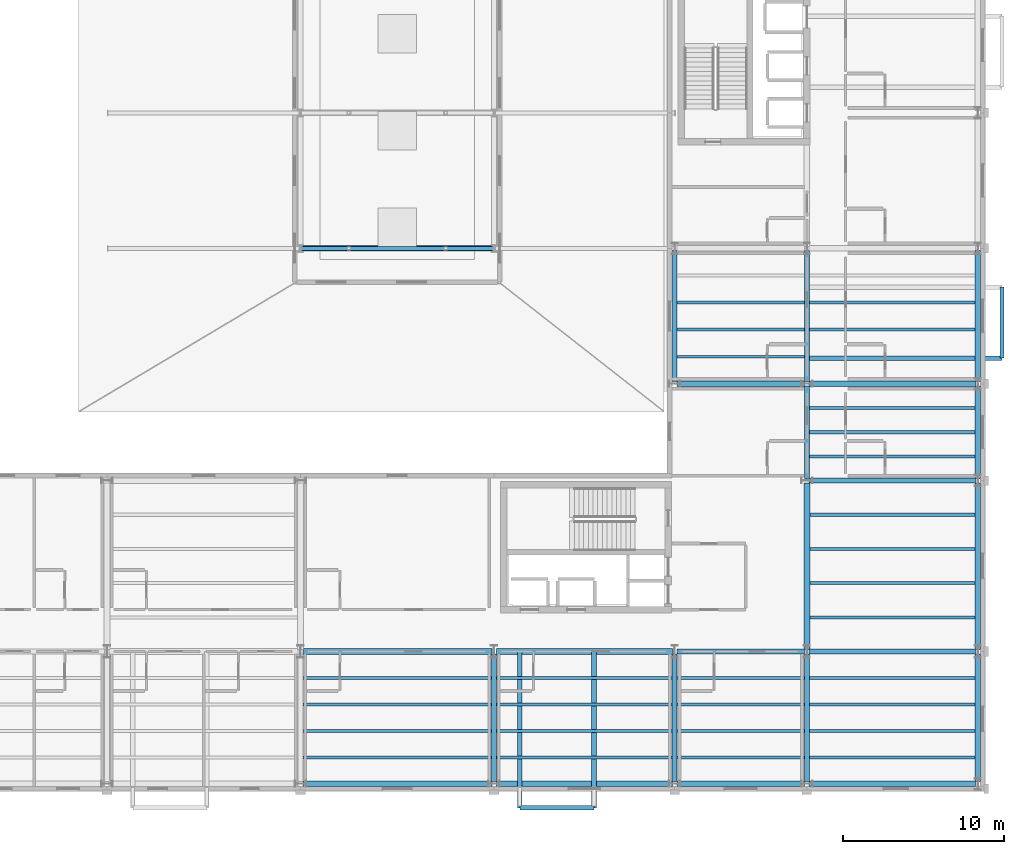
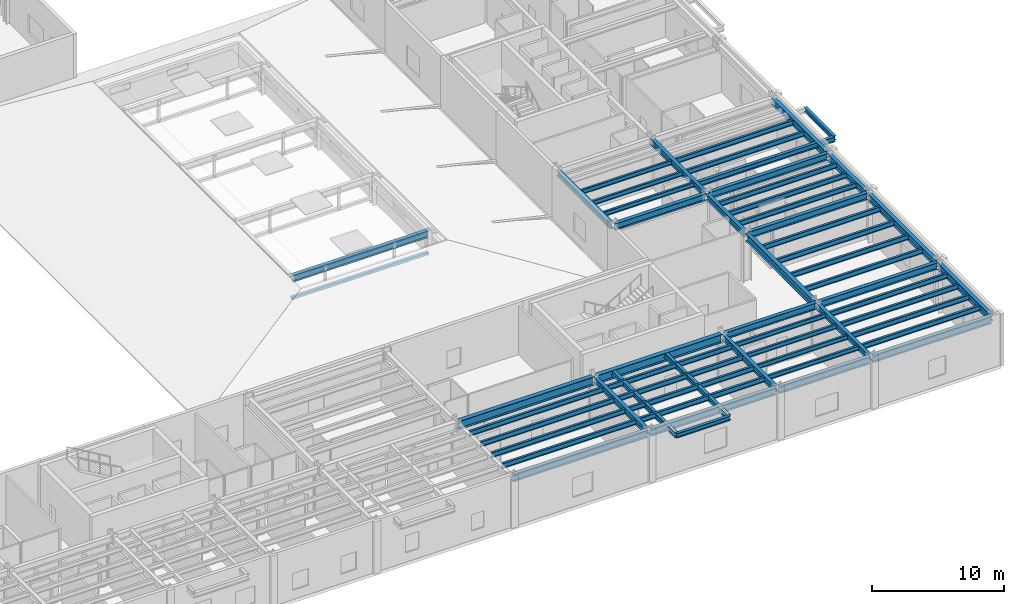
# One storey, part 48 of 91: 56 beams, 1 member.
"""IFC4 building model written with IfcOpenShell, lengths in metres."""

from ifc_helpers import new_model, si_unit, direction, frame, origin, origin_2d, place, context, subcontext, project, spatial, hollow_rectangle, i_section, extrude, material, material_profile, profile_set, type_object, element, save


model = new_model("IFC4")

# Units and contexts
model_context = context("Model", 3, precision=1e-05, world=origin(), true_north=direction((0.0, 1.0)))
body_context = subcontext(model_context, "Body", "Model", "MODEL_VIEW")
ifc_project = project(units=[si_unit("LENGTHUNIT", "METRE"), si_unit("AREAUNIT", "SQUARE_METRE"), si_unit("VOLUMEUNIT", "CUBIC_METRE"), si_unit("PLANEANGLEUNIT", "RADIAN"), si_unit("MASSUNIT", "GRAM", prefix="KILO")], contexts=[model_context])

# Site, building, storey
site_placement = place(None, origin())
site = spatial("IfcSite", under=ifc_project, at=site_placement, CompositionType="ELEMENT")
building_placement = place(site_placement, origin())
building = spatial("IfcBuilding", under=site, at=building_placement, Name="Sollismere Congress Hotel", CompositionType="ELEMENT")
storey_placement = place(building_placement, frame((0.0, 0.0, 10.800048828125)))
storey = spatial("IfcBuildingStorey", under=building, at=storey_placement, Name="L02", CompositionType="ELEMENT", Elevation=10.800048828125)

# Beams
ifc_material_1 = material(Name="Steel ASTM A992 Grade 50", Category="steel")
ifc_material_profile_1 = material_profile(ifc_material_1, i_section(OverallWidth=0.281982421875, OverallDepth=0.471923828125, WebThickness=0.013671875, FlangeThickness=0.022216796875, at=origin_2d()), Name="W18X97")
ifc_profile_set_1 = profile_set([ifc_material_profile_1], Name="Steel ASTM A992 Grade 50")
beam_type_1 = type_object("IfcBeamType", Name="BM-CK18E", PredefinedType="BEAM", material=ifc_profile_set_1)
for number, where, z_axis, x_axis, name in (
    (1, (137.60009765625, 8.199951171875, 4.263916015625), (0.0, -1.0, 0.0), (1.0, 0.0, 0.0), "Beam BM-L02-3889"),
    (2, (142.199951171875, 8.199951171875, 4.263916015625), (0.0, -1.0, 0.0), (1.0, 0.0, 0.0), "Beam BM-L02-3890"),
):
    element("IfcBeam", number, at=place(storey_placement, frame(where, z_axis=z_axis, x_axis=x_axis)), inside=storey, type_object=beam_type_1, Name=name, PredefinedType="BEAM", context=body_context, shape_type="SweptSolid", body=[
        extrude(i_section(OverallWidth=0.281982421875, OverallDepth=0.471923828125, WebThickness=0.013671875, FlangeThickness=0.022216796875, at=origin_2d()), origin(), (0.0, 0.0, 1.0), 9.68994140625),
    ])
beam_1_placement = place(storey_placement, frame((155.39990234375, 26.39990234375, 4.263916015625), z_axis=(1.0, 0.0, 0.0), x_axis=(0.0, 1.0, 0.0)))
element("IfcBeam", 3, at=beam_1_placement, inside=storey, type_object=beam_type_1, Name="Beam BM-L02-3892", PredefinedType="BEAM", context=body_context, shape_type="SweptSolid", body=[
    extrude(i_section(OverallWidth=0.281982421875, OverallDepth=0.471923828125, WebThickness=0.013671875, FlangeThickness=0.022216796875, at=origin_2d()), origin(), (0.0, 0.0, 1.0), 12.090087890625),
])
ifc_material_profile_2 = material_profile(ifc_material_1, i_section(OverallWidth=0.31494140625, OverallDepth=0.551025390625, WebThickness=0.01513671875, FlangeThickness=0.0244140625, at=origin_2d()), Name="W21X122")
ifc_profile_set_2 = profile_set([ifc_material_profile_2], Name="Steel ASTM A992 Grade 50")
beam_type_2 = type_object("IfcBeamType", Name="BM-G21H", PredefinedType="BEAM", material=ifc_profile_set_2)
for number, where, z_axis, x_axis, name in (
    (4, (136.0, 0.139892578125, 4.224365234375), (0.0, 1.0, 0.0), (-1.0, 0.0, 0.0), "Beam BM-L02-2121"),
    (5, (147.199951171875, 0.139892578125, 4.224365234375), (0.0, 1.0, 0.0), (-1.0, 0.0, 0.0), "Beam BM-L02-2122"),
):
    element("IfcBeam", number, at=place(storey_placement, frame(where, z_axis=z_axis, x_axis=x_axis)), inside=storey, type_object=beam_type_2, Name=name, PredefinedType="BEAM", context=body_context, shape_type="SweptSolid", body=[
        extrude(i_section(OverallWidth=0.31494140625, OverallDepth=0.551025390625, WebThickness=0.01513671875, FlangeThickness=0.0244140625, at=origin_2d()), origin(), (0.0, 0.0, 1.0), 7.920166015625),
    ])
beam_2_placement = place(storey_placement, frame((147.199951171875, 24.93994140625, 4.224365234375), z_axis=(0.0, 1.0, 0.0), x_axis=(-1.0, 0.0, 0.0)))
element("IfcBeam", 6, at=beam_2_placement, inside=storey, type_object=beam_type_2, Name="Beam BM-L02-2123", PredefinedType="BEAM", context=body_context, shape_type="SweptSolid", body=[
    extrude(i_section(OverallWidth=0.31494140625, OverallDepth=0.551025390625, WebThickness=0.01513671875, FlangeThickness=0.0244140625, at=origin_2d()), origin(), (0.0, 0.0, 1.0), 8.1201171875),
])
beam_3_placement = place(storey_placement, frame((155.39990234375, 0.139892578125, 4.224365234375), z_axis=(0.0, 1.0, 0.0), x_axis=(-1.0, 0.0, 0.0)))
element("IfcBeam", 7, at=beam_3_placement, inside=storey, type_object=beam_type_2, Name="Beam BM-L02-2125", PredefinedType="BEAM", context=body_context, shape_type="SweptSolid", body=[
    extrude(i_section(OverallWidth=0.31494140625, OverallDepth=0.551025390625, WebThickness=0.01513671875, FlangeThickness=0.0244140625, at=origin_2d()), origin(), (0.0, 0.0, 1.0), 7.920166015625),
])
beam_4_placement = place(storey_placement, frame((155.39990234375, 18.93994140625, 4.224365234375), z_axis=(0.0, 1.0, 0.0), x_axis=(-1.0, 0.0, 0.0)))
element("IfcBeam", 8, at=beam_4_placement, inside=storey, type_object=beam_type_2, Name="Beam BM-L02-2127", PredefinedType="BEAM", context=body_context, shape_type="SweptSolid", body=[
    extrude(i_section(OverallWidth=0.31494140625, OverallDepth=0.551025390625, WebThickness=0.01513671875, FlangeThickness=0.0244140625, at=origin_2d()), origin(), (0.0, 0.0, 1.0), 5.719970703125),
])
beam_5_placement = place(storey_placement, frame((155.39990234375, 24.93994140625, 4.224365234375), z_axis=(0.0, 1.0, 0.0), x_axis=(-1.0, 0.0, 0.0)))
element("IfcBeam", 9, at=beam_5_placement, inside=storey, type_object=beam_type_2, Name="Beam BM-L02-2128", PredefinedType="BEAM", context=body_context, shape_type="SweptSolid", body=[
    extrude(i_section(OverallWidth=0.31494140625, OverallDepth=0.551025390625, WebThickness=0.01513671875, FlangeThickness=0.0244140625, at=origin_2d()), origin(), (0.0, 0.0, 1.0), 8.1201171875),
])
ifc_material_profile_3 = material_profile(ifc_material_1, i_section(OverallWidth=0.324951171875, OverallDepth=0.612060546875, WebThickness=0.0126953125, FlangeThickness=0.01904296875, at=origin_2d()), Name="W24X104")
ifc_profile_set_3 = profile_set([ifc_material_profile_3], Name="Steel ASTM A992 Grade 50")
beam_type_3 = type_object("IfcBeamType", Name="BM-G24", PredefinedType="BEAM", material=ifc_profile_set_3)
beam_6_placement = place(storey_placement, frame((147.340087890625, 8.199951171875, 4.19384765625), z_axis=(1.0, 0.0, 0.0), x_axis=(0.0, 1.0, 0.0)))
element("IfcBeam", 10, at=beam_6_placement, inside=storey, type_object=beam_type_3, Name="Beam BM-L02-1997", PredefinedType="BEAM", context=body_context, shape_type="SweptSolid", body=[
    extrude(i_section(OverallWidth=0.324951171875, OverallDepth=0.612060546875, WebThickness=0.0126953125, FlangeThickness=0.01904296875, at=origin_2d()), origin(), (0.0, 0.0, 1.0), 7.919921875),
])
for number, where, z_axis, x_axis, name in (
    (11, (155.5400390625, 8.199951171875, 4.19384765625), (1.0, 0.0, 0.0), (0.0, 1.0, 0.0), "Beam BM-L02-1998"),
    (12, (155.5400390625, 18.800048828125, 4.19384765625), (1.0, 0.0, 0.0), (0.0, 1.0, 0.0), "Beam BM-L02-2003"),
):
    element("IfcBeam", number, at=place(storey_placement, frame(where, z_axis=z_axis, x_axis=x_axis)), inside=storey, type_object=beam_type_3, Name=name, PredefinedType="BEAM", context=body_context, shape_type="SweptSolid", body=[
        extrude(i_section(OverallWidth=0.324951171875, OverallDepth=0.612060546875, WebThickness=0.0126953125, FlangeThickness=0.01904296875, at=origin_2d()), origin(), (0.0, 0.0, 1.0), 10.320068359375),
    ])
beam_7_placement = place(storey_placement, frame((147.340087890625, 24.800048828125, 4.19384765625), z_axis=(1.0, 0.0, 0.0), x_axis=(0.0, 1.0, 0.0)))
element("IfcBeam", 13, at=beam_7_placement, inside=storey, type_object=beam_type_3, Name="Beam BM-L02-2007", PredefinedType="BEAM", context=body_context, shape_type="SweptSolid", body=[
    extrude(i_section(OverallWidth=0.324951171875, OverallDepth=0.612060546875, WebThickness=0.0126953125, FlangeThickness=0.01904296875, at=origin_2d()), origin(), (0.0, 0.0, 1.0), 7.919921875),
])
beam_8_placement = place(storey_placement, frame((155.5400390625, 24.800048828125, 4.19384765625), z_axis=(1.0, 0.0, 0.0), x_axis=(0.0, 1.0, 0.0)))
element("IfcBeam", 14, at=beam_8_placement, inside=storey, type_object=beam_type_3, Name="Beam BM-L02-2008", PredefinedType="BEAM", context=body_context, shape_type="SweptSolid", body=[
    extrude(i_section(OverallWidth=0.324951171875, OverallDepth=0.612060546875, WebThickness=0.0126953125, FlangeThickness=0.01904296875, at=origin_2d()), origin(), (0.0, 0.0, 1.0), 10.320068359375),
])
ifc_material_profile_4 = material_profile(ifc_material_1, i_section(OverallWidth=0.330078125, OverallDepth=0.635009765625, WebThickness=0.017822265625, FlangeThickness=0.031005859375, at=origin_2d()), Name="W24X162")
ifc_profile_set_4 = profile_set([ifc_material_profile_4], Name="Steel ASTM A992 Grade 50")
beam_type_4 = type_object("IfcBeamType", Name="BM-G24H", PredefinedType="BEAM", material=ifc_profile_set_4)
beam_9_placement = place(storey_placement, frame((124.1201171875, 33.199951171875, 2.46240234375), z_axis=(1.0, 0.0, 0.0), x_axis=(0.0, 1.0, 0.0)))
element("IfcBeam", 15, at=beam_9_placement, inside=storey, type_object=beam_type_4, Name="Beam BM-L02-3852", PredefinedType="BEAM", context=body_context, shape_type="SweptSolid", body=[
    extrude(i_section(OverallWidth=0.330078125, OverallDepth=0.635009765625, WebThickness=0.017822265625, FlangeThickness=0.031005859375, at=origin_2d()), origin(), (0.0, 0.0, 1.0), 11.759765625),
])
ifc_material_profile_5 = material_profile(ifc_material_1, i_section(OverallWidth=0.35595703125, OverallDepth=0.696044921875, WebThickness=0.015380859375, FlangeThickness=0.025146484375, at=origin_2d()), Name="W27X146")
ifc_profile_set_5 = profile_set([ifc_material_profile_5], Name="Steel ASTM A992 Grade 50")
beam_type_5 = type_object("IfcBeamType", Name="BM-G27", PredefinedType="BEAM", material=ifc_profile_set_5)
beam_10_placement = place(storey_placement, frame((155.39990234375, 8.340087890625, 4.15185546875), z_axis=(0.0, 1.0, 0.0), x_axis=(-1.0, 0.0, 0.0)))
element("IfcBeam", 16, at=beam_10_placement, inside=storey, type_object=beam_type_5, Name="Beam BM-L02-2126", PredefinedType="BEAM", context=body_context, shape_type="SweptSolid", body=[
    extrude(i_section(OverallWidth=0.35595703125, OverallDepth=0.696044921875, WebThickness=0.015380859375, FlangeThickness=0.025146484375, at=origin_2d()), origin(), (0.0, 0.0, 1.0), 10.31982421875),
])
ifc_material_profile_6 = material_profile(ifc_material_1, i_section(OverallWidth=0.384033203125, OverallDepth=0.787109375, WebThickness=0.019775390625, FlangeThickness=0.033447265625, at=origin_2d()), Name="W30X211")
ifc_profile_set_6 = profile_set([ifc_material_profile_6], Name="Steel ASTM A992 Grade 50")
beam_type_6 = type_object("IfcBeamType", Name="BM-G30", PredefinedType="BEAM", material=ifc_profile_set_6)
beam_11_placement = place(storey_placement, frame((124.139892578125, 8.199951171875, 4.1064453125), z_axis=(1.0, 0.0, 0.0), x_axis=(0.0, 1.0, 0.0)))
element("IfcBeam", 17, at=beam_11_placement, inside=storey, type_object=beam_type_6, Name="Beam BM-L02-1995", PredefinedType="BEAM", context=body_context, shape_type="SweptSolid", body=[
    extrude(i_section(OverallWidth=0.384033203125, OverallDepth=0.787109375, WebThickness=0.019775390625, FlangeThickness=0.033447265625, at=origin_2d()), origin(), (0.0, 0.0, 1.0), 11.72021484375),
])
beam_12_placement = place(storey_placement, frame((136.139892578125, 8.199951171875, 4.1064453125), z_axis=(1.0, 0.0, 0.0), x_axis=(0.0, 1.0, 0.0)))
element("IfcBeam", 18, at=beam_12_placement, inside=storey, type_object=beam_type_6, Name="Beam BM-L02-1996", PredefinedType="BEAM", context=body_context, shape_type="SweptSolid", body=[
    extrude(i_section(OverallWidth=0.384033203125, OverallDepth=0.787109375, WebThickness=0.019775390625, FlangeThickness=0.033447265625, at=origin_2d()), origin(), (0.0, 0.0, 1.0), 10.920166015625),
])
ifc_material_profile_7 = material_profile(ifc_material_1, i_section(OverallWidth=0.180908203125, OverallDepth=0.4169921875, WebThickness=0.010986328125, FlangeThickness=0.018310546875, at=origin_2d()), Name="W16X57")
ifc_profile_set_7 = profile_set([ifc_material_profile_7], Name="Steel ASTM A992 Grade 50")
beam_type_7 = type_object("IfcBeamType", Name="BM-J16", PredefinedType="JOIST", material=ifc_profile_set_7)
for number, where, z_axis, x_axis, name in (
    (19, (147.357421875, 1.639892578125, 4.29150390625), (1.0, 0.0, 0.0), (0.0, 1.0, 0.0), "Beam BM-L02-2299"),
    (20, (147.357421875, 3.280029296875, 4.29150390625), (1.0, 0.0, 0.0), (0.0, 1.0, 0.0), "Beam BM-L02-2300"),
    (21, (147.357421875, 4.919921875, 4.29150390625), (1.0, 0.0, 0.0), (0.0, 1.0, 0.0), "Beam BM-L02-2301"),
    (22, (147.357421875, 6.56005859375, 4.29150390625), (1.0, 0.0, 0.0), (0.0, 1.0, 0.0), "Beam BM-L02-2302"),
    (23, (147.357421875, 26.47998046875, 4.29150390625), (1.0, 0.0, 0.0), (0.0, 1.0, 0.0), "Beam BM-L02-2303"),
    (24, (147.357421875, 28.159912109375, 4.29150390625), (1.0, 0.0, 0.0), (0.0, 1.0, 0.0), "Beam BM-L02-2304"),
    (25, (147.357421875, 29.840087890625, 4.29150390625), (1.0, 0.0, 0.0), (0.0, 1.0, 0.0), "Beam BM-L02-2305"),
):
    element("IfcBeam", number, at=place(storey_placement, frame(where, z_axis=z_axis, x_axis=x_axis)), inside=storey, type_object=beam_type_7, Name=name, PredefinedType="JOIST", context=body_context, shape_type="SweptSolid", body=[
        extrude(i_section(OverallWidth=0.180908203125, OverallDepth=0.4169921875, WebThickness=0.010986328125, FlangeThickness=0.018310546875, at=origin_2d()), origin(), (0.0, 0.0, 1.0), 7.885009765625),
    ])
ifc_material_profile_8 = material_profile(ifc_material_1, i_section(OverallWidth=0.193115234375, OverallDepth=0.467041015625, WebThickness=0.011474609375, FlangeThickness=0.01904296875, at=origin_2d()), Name="W18X65")
ifc_profile_set_8 = profile_set([ifc_material_profile_8], Name="Steel ASTM A992 Grade 50")
beam_type_8 = type_object("IfcBeamType", Name="BM-J18", PredefinedType="JOIST", material=ifc_profile_set_8)
for number, where, z_axis, x_axis, name in (
    (26, (124.157470703125, 1.639892578125, 4.266357421875), (1.0, 0.0, 0.0), (0.0, 1.0, 0.0), "Beam BM-L02-2291"),
    (27, (124.157470703125, 3.280029296875, 4.266357421875), (1.0, 0.0, 0.0), (0.0, 1.0, 0.0), "Beam BM-L02-2292"),
    (28, (124.157470703125, 4.919921875, 4.266357421875), (1.0, 0.0, 0.0), (0.0, 1.0, 0.0), "Beam BM-L02-2293"),
    (29, (124.157470703125, 6.56005859375, 4.266357421875), (1.0, 0.0, 0.0), (0.0, 1.0, 0.0), "Beam BM-L02-2294"),
):
    element("IfcBeam", number, at=place(storey_placement, frame(where, z_axis=z_axis, x_axis=x_axis)), inside=storey, type_object=beam_type_8, Name=name, PredefinedType="JOIST", context=body_context, shape_type="SweptSolid", body=[
        extrude(i_section(OverallWidth=0.193115234375, OverallDepth=0.467041015625, WebThickness=0.011474609375, FlangeThickness=0.01904296875, at=origin_2d()), origin(), (0.0, 0.0, 1.0), 11.68505859375),
    ])
for number, where, z_axis, x_axis, name in (
    (30, (136.157470703125, 1.639892578125, 4.266357421875), (1.0, 0.0, 0.0), (0.0, 1.0, 0.0), "Beam BM-L02-2295"),
    (31, (136.157470703125, 3.280029296875, 4.266357421875), (1.0, 0.0, 0.0), (0.0, 1.0, 0.0), "Beam BM-L02-2296"),
    (32, (136.157470703125, 4.919921875, 4.266357421875), (1.0, 0.0, 0.0), (0.0, 1.0, 0.0), "Beam BM-L02-2297"),
    (33, (136.157470703125, 6.56005859375, 4.266357421875), (1.0, 0.0, 0.0), (0.0, 1.0, 0.0), "Beam BM-L02-2298"),
):
    element("IfcBeam", number, at=place(storey_placement, frame(where, z_axis=z_axis, x_axis=x_axis)), inside=storey, type_object=beam_type_8, Name=name, PredefinedType="JOIST", context=body_context, shape_type="SweptSolid", body=[
        extrude(i_section(OverallWidth=0.193115234375, OverallDepth=0.467041015625, WebThickness=0.011474609375, FlangeThickness=0.01904296875, at=origin_2d()), origin(), (0.0, 0.0, 1.0), 10.885009765625),
    ])
for number, where, z_axis, x_axis, name in (
    (34, (155.5576171875, 1.639892578125, 4.266357421875), (1.0, 0.0, 0.0), (0.0, 1.0, 0.0), "Beam BM-L02-2311"),
    (35, (155.5576171875, 3.280029296875, 4.266357421875), (1.0, 0.0, 0.0), (0.0, 1.0, 0.0), "Beam BM-L02-2312"),
    (36, (155.5576171875, 4.919921875, 4.266357421875), (1.0, 0.0, 0.0), (0.0, 1.0, 0.0), "Beam BM-L02-2313"),
    (37, (155.5576171875, 6.56005859375, 4.266357421875), (1.0, 0.0, 0.0), (0.0, 1.0, 0.0), "Beam BM-L02-2314"),
):
    element("IfcBeam", number, at=place(storey_placement, frame(where, z_axis=z_axis, x_axis=x_axis)), inside=storey, type_object=beam_type_8, Name=name, PredefinedType="JOIST", context=body_context, shape_type="SweptSolid", body=[
        extrude(i_section(OverallWidth=0.193115234375, OverallDepth=0.467041015625, WebThickness=0.011474609375, FlangeThickness=0.01904296875, at=origin_2d()), origin(), (0.0, 0.0, 1.0), 10.27734375),
    ])
for number, where, z_axis, x_axis, name in (
    (38, (155.577880859375, 10.320068359375, 4.266357421875), (1.0, 0.0, 0.0), (0.0, 1.0, 0.0), "Beam BM-L02-2315"),
    (39, (155.577880859375, 12.43994140625, 4.266357421875), (1.0, 0.0, 0.0), (0.0, 1.0, 0.0), "Beam BM-L02-2316"),
    (40, (155.577880859375, 14.56005859375, 4.266357421875), (1.0, 0.0, 0.0), (0.0, 1.0, 0.0), "Beam BM-L02-2317"),
    (41, (155.577880859375, 16.679931640625, 4.266357421875), (1.0, 0.0, 0.0), (0.0, 1.0, 0.0), "Beam BM-L02-2318"),
):
    element("IfcBeam", number, at=place(storey_placement, frame(where, z_axis=z_axis, x_axis=x_axis)), inside=storey, type_object=beam_type_8, Name=name, PredefinedType="JOIST", context=body_context, shape_type="SweptSolid", body=[
        extrude(i_section(OverallWidth=0.193115234375, OverallDepth=0.467041015625, WebThickness=0.011474609375, FlangeThickness=0.01904296875, at=origin_2d()), origin(), (0.0, 0.0, 1.0), 10.257080078125),
    ])
for number, where, z_axis, x_axis, name in (
    (42, (155.5576171875, 20.300048828125, 4.266357421875), (1.0, 0.0, 0.0), (0.0, 1.0, 0.0), "Beam BM-L02-2319"),
    (43, (155.5576171875, 21.800048828125, 4.266357421875), (1.0, 0.0, 0.0), (0.0, 1.0, 0.0), "Beam BM-L02-2320"),
    (44, (155.5576171875, 23.300048828125, 4.266357421875), (1.0, 0.0, 0.0), (0.0, 1.0, 0.0), "Beam BM-L02-2321"),
    (45, (155.5576171875, 28.159912109375, 4.266357421875), (1.0, 0.0, 0.0), (0.0, 1.0, 0.0), "Beam BM-L02-2322"),
    (46, (155.5576171875, 29.840087890625, 4.266357421875), (1.0, 0.0, 0.0), (0.0, 1.0, 0.0), "Beam BM-L02-2323"),
):
    element("IfcBeam", number, at=place(storey_placement, frame(where, z_axis=z_axis, x_axis=x_axis)), inside=storey, type_object=beam_type_8, Name=name, PredefinedType="JOIST", context=body_context, shape_type="SweptSolid", body=[
        extrude(i_section(OverallWidth=0.193115234375, OverallDepth=0.467041015625, WebThickness=0.011474609375, FlangeThickness=0.01904296875, at=origin_2d()), origin(), (0.0, 0.0, 1.0), 10.27734375),
    ])
ifc_material_profile_9 = material_profile(ifc_material_1, i_section(OverallWidth=0.261962890625, OverallDepth=0.4189453125, WebThickness=0.01171875, FlangeThickness=0.019287109375, at=origin_2d()), Name="W16X77")
ifc_profile_set_9 = profile_set([ifc_material_profile_9], Name="Steel ASTM A992 Grade 50")
beam_type_9 = type_object("IfcBeamType", Name="BM-LN16E", PredefinedType="LINTEL", material=ifc_profile_set_9)
beam_13_placement = place(storey_placement, frame((137.60009765625, -1.489990234375, 4.29052734375), z_axis=(1.0, 0.0, 0.0), x_axis=(0.0, 1.0, 0.0)))
element("IfcBeam", 47, at=beam_13_placement, inside=storey, type_object=beam_type_9, Name="Beam BM-L02-3891", PredefinedType="LINTEL", context=body_context, shape_type="SweptSolid", body=[
    extrude(i_section(OverallWidth=0.261962890625, OverallDepth=0.4189453125, WebThickness=0.01171875, FlangeThickness=0.019287109375, at=origin_2d()), origin(), (0.0, 0.0, 1.0), 4.599853515625),
])
beam_14_placement = place(storey_placement, frame((167.489990234375, 26.39990234375, 4.29052734375), z_axis=(0.0, 1.0, 0.0), x_axis=(-1.0, 0.0, 0.0)))
element("IfcBeam", 48, at=beam_14_placement, inside=storey, type_object=beam_type_9, Name="Beam BM-L02-3894", PredefinedType="LINTEL", context=body_context, shape_type="SweptSolid", body=[
    extrude(i_section(OverallWidth=0.261962890625, OverallDepth=0.4189453125, WebThickness=0.01171875, FlangeThickness=0.019287109375, at=origin_2d()), origin(), (0.0, 0.0, 1.0), 4.400146484375),
])
ifc_material_profile_10 = material_profile(ifc_material_1, i_section(OverallWidth=0.330078125, OverallDepth=0.635009765625, WebThickness=0.017822265625, FlangeThickness=0.031005859375, at=origin_2d()), Name="W24X162")
ifc_profile_set_10 = profile_set([ifc_material_profile_10], Name="Steel ASTM A992 Grade 50")
beam_type_10 = type_object("IfcBeamType", Name="BM-SP24E", PredefinedType="SPANDREL", material=ifc_profile_set_10)
beam_15_placement = place(storey_placement, frame((124.139892578125, 0.0, 4.182373046875), z_axis=(1.0, 0.0, 0.0), x_axis=(0.0, 1.0, 0.0)))
element("IfcBeam", 49, at=beam_15_placement, inside=storey, type_object=beam_type_10, Name="Beam BM-L02-1981", PredefinedType="SPANDREL", context=body_context, shape_type="SweptSolid", body=[
    extrude(i_section(OverallWidth=0.330078125, OverallDepth=0.635009765625, WebThickness=0.017822265625, FlangeThickness=0.031005859375, at=origin_2d()), origin(), (0.0, 0.0, 1.0), 11.72021484375),
])
beam_16_placement = place(storey_placement, frame((136.139892578125, 0.0, 4.182373046875), z_axis=(1.0, 0.0, 0.0), x_axis=(0.0, 1.0, 0.0)))
element("IfcBeam", 50, at=beam_16_placement, inside=storey, type_object=beam_type_10, Name="Beam BM-L02-1982", PredefinedType="SPANDREL", context=body_context, shape_type="SweptSolid", body=[
    extrude(i_section(OverallWidth=0.330078125, OverallDepth=0.635009765625, WebThickness=0.017822265625, FlangeThickness=0.031005859375, at=origin_2d()), origin(), (0.0, 0.0, 1.0), 10.920166015625),
])
beam_17_placement = place(storey_placement, frame((147.340087890625, 0.0, 4.182373046875), z_axis=(1.0, 0.0, 0.0), x_axis=(0.0, 1.0, 0.0)))
element("IfcBeam", 51, at=beam_17_placement, inside=storey, type_object=beam_type_10, Name="Beam BM-L02-1983", PredefinedType="SPANDREL", context=body_context, shape_type="SweptSolid", body=[
    extrude(i_section(OverallWidth=0.330078125, OverallDepth=0.635009765625, WebThickness=0.017822265625, FlangeThickness=0.031005859375, at=origin_2d()), origin(), (0.0, 0.0, 1.0), 7.919921875),
])
beam_18_placement = place(storey_placement, frame((155.5400390625, 0.0, 4.182373046875), z_axis=(1.0, 0.0, 0.0), x_axis=(0.0, 1.0, 0.0)))
element("IfcBeam", 52, at=beam_18_placement, inside=storey, type_object=beam_type_10, Name="Beam BM-L02-1984", PredefinedType="SPANDREL", context=body_context, shape_type="SweptSolid", body=[
    extrude(i_section(OverallWidth=0.330078125, OverallDepth=0.635009765625, WebThickness=0.017822265625, FlangeThickness=0.031005859375, at=origin_2d()), origin(), (0.0, 0.0, 1.0), 10.320068359375),
])
beam_19_placement = place(storey_placement, frame((166.0, 0.139892578125, 4.182373046875), z_axis=(0.0, 1.0, 0.0), x_axis=(-1.0, 0.0, 0.0)))
element("IfcBeam", 53, at=beam_19_placement, inside=storey, type_object=beam_type_10, Name="Beam BM-L02-2130", PredefinedType="SPANDREL", context=body_context, shape_type="SweptSolid", body=[
    extrude(i_section(OverallWidth=0.330078125, OverallDepth=0.635009765625, WebThickness=0.017822265625, FlangeThickness=0.031005859375, at=origin_2d()), origin(), (0.0, 0.0, 1.0), 7.920166015625),
])
beam_20_placement = place(storey_placement, frame((166.0, 8.340087890625, 4.182373046875), z_axis=(0.0, 1.0, 0.0), x_axis=(-1.0, 0.0, 0.0)))
element("IfcBeam", 54, at=beam_20_placement, inside=storey, type_object=beam_type_10, Name="Beam BM-L02-2131", PredefinedType="SPANDREL", context=body_context, shape_type="SweptSolid", body=[
    extrude(i_section(OverallWidth=0.330078125, OverallDepth=0.635009765625, WebThickness=0.017822265625, FlangeThickness=0.031005859375, at=origin_2d()), origin(), (0.0, 0.0, 1.0), 10.31982421875),
])
beam_21_placement = place(storey_placement, frame((166.0, 18.93994140625, 4.182373046875), z_axis=(0.0, 1.0, 0.0), x_axis=(-1.0, 0.0, 0.0)))
element("IfcBeam", 55, at=beam_21_placement, inside=storey, type_object=beam_type_10, Name="Beam BM-L02-2132", PredefinedType="SPANDREL", context=body_context, shape_type="SweptSolid", body=[
    extrude(i_section(OverallWidth=0.330078125, OverallDepth=0.635009765625, WebThickness=0.017822265625, FlangeThickness=0.031005859375, at=origin_2d()), origin(), (0.0, 0.0, 1.0), 5.719970703125),
])
beam_22_placement = place(storey_placement, frame((166.0, 24.93994140625, 4.182373046875), z_axis=(0.0, 1.0, 0.0), x_axis=(-1.0, 0.0, 0.0)))
element("IfcBeam", 56, at=beam_22_placement, inside=storey, type_object=beam_type_10, Name="Beam BM-L02-2133", PredefinedType="SPANDREL", context=body_context, shape_type="SweptSolid", body=[
    extrude(i_section(OverallWidth=0.330078125, OverallDepth=0.635009765625, WebThickness=0.017822265625, FlangeThickness=0.031005859375, at=origin_2d()), origin(), (0.0, 0.0, 1.0), 8.1201171875),
])

# Member
ifc_material_2 = material(Name="Steel ASTM A500 Grade C", Category="steel")
ifc_material_profile_11 = material_profile(ifc_material_2, hollow_rectangle(XDim=0.25, YDim=0.25, WallThickness=0.010009765625, at=origin_2d()), Name="HSS250X250X10")
ifc_profile_set_11 = profile_set([ifc_material_profile_11], Name="Steel ASTM A500 Grade C")
member_type = type_object("IfcMemberType", Name="MB-CH250", PredefinedType="CHORD", material=ifc_profile_set_11)
member_placement = place(storey_placement, frame((124.0400390625, 33.199951171875, 0.64990234375), z_axis=(1.0, 0.0, 0.0), x_axis=(0.0, 1.0, 0.0)))
element("IfcMember", 57, at=member_placement, inside=storey, type_object=member_type, Name="MEM-CH-S01", PredefinedType="CHORD", context=body_context, shape_type="SweptSolid", body=[
    extrude(hollow_rectangle(XDim=0.25, YDim=0.25, WallThickness=0.010009765625, at=origin_2d()), origin(), (0.0, 0.0, 1.0), 11.919921875),
])

save(model, "model.ifc")
